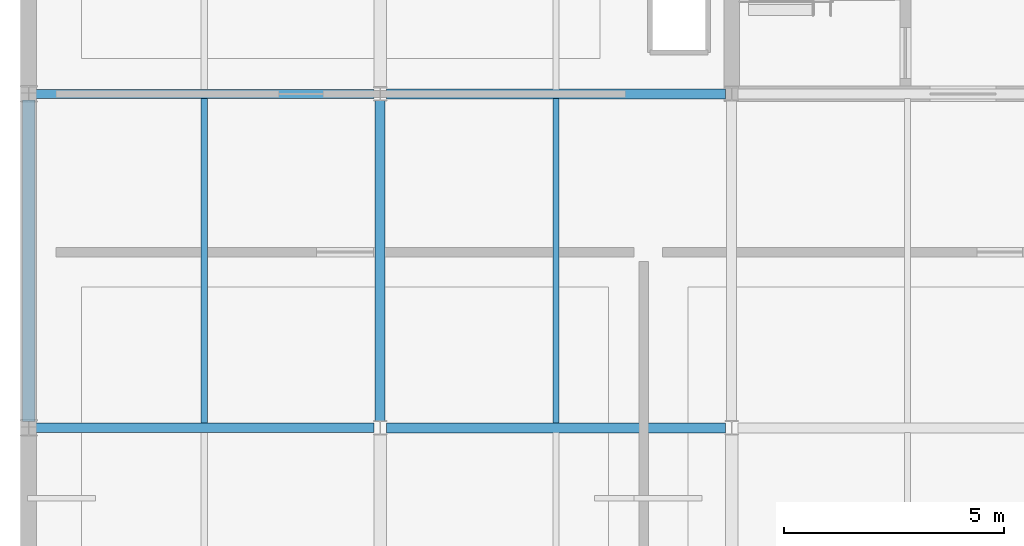
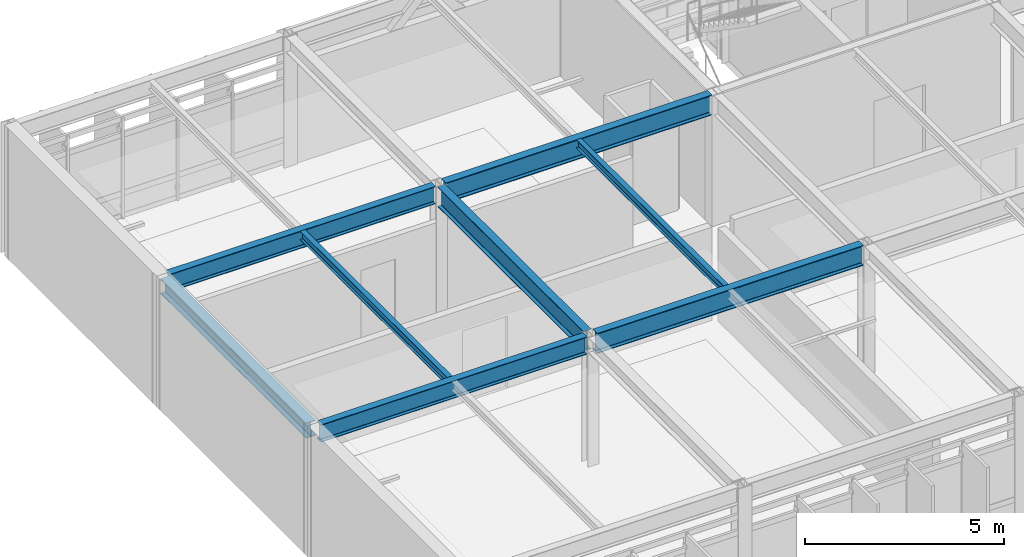
# One storey, part 20 of 85: 8 beams.
"""IFC4 building model written with IfcOpenShell, lengths in metres."""

from ifc_helpers import new_model, si_unit, direction, frame, origin, origin_2d, place, context, subcontext, project, spatial, i_section, extrude, material, material_profile, profile_set, type_object, element, save


model = new_model("IFC4")

# Units and contexts
model_context = context("Model", 3, precision=1e-05, world=origin(), true_north=direction((0.0, 1.0)))
body_context = subcontext(model_context, "Body", "Model", "MODEL_VIEW")
ifc_project = project(units=[si_unit("LENGTHUNIT", "METRE"), si_unit("AREAUNIT", "SQUARE_METRE"), si_unit("VOLUMEUNIT", "CUBIC_METRE"), si_unit("PLANEANGLEUNIT", "RADIAN"), si_unit("MASSUNIT", "GRAM", prefix="KILO")], contexts=[model_context])

# Site, building, storey
site_placement = place(None, origin())
site = spatial("IfcSite", under=ifc_project, at=site_placement, CompositionType="ELEMENT")
building_placement = place(site_placement, origin())
building = spatial("IfcBuilding", under=site, at=building_placement, Name="Zulena Civic Courthouse", CompositionType="ELEMENT")
storey_placement = place(building_placement, frame((0.0, 0.0, 25.199951171875)))
storey = spatial("IfcBuildingStorey", under=building, at=storey_placement, Name="L05", CompositionType="ELEMENT", Elevation=25.199951171875)

# Beams
ifc_material = material(Name="Steel ASTM A992 Grade 50", Category="steel")
ifc_material_profile_1 = material_profile(ifc_material, i_section(OverallWidth=0.22802734375, OverallDepth=0.60693359375, WebThickness=0.01123046875, FlangeThickness=0.017333984375, FilletRadius=0.0126953125, at=origin_2d()), Name="W24X76")
ifc_profile_set_1 = profile_set([ifc_material_profile_1], Name="Steel ASTM A992 Grade 50")
beam_type_1 = type_object("IfcBeamType", Name="Girder_W24X76", PredefinedType="BEAM", material=ifc_profile_set_1)
beam_1_placement = place(storey_placement, frame((12.0, 7.7451171875, 3.6865234375), z_axis=(0.0, 1.0, 0.0), x_axis=(-1.0, 0.0, 0.0)))
element("IfcBeam", 1, at=beam_1_placement, inside=storey, type_object=beam_type_1, Name="beam:Y:V2:L05:12.0:7.6_15.2", PredefinedType="BEAM", context=body_context, shape_type="SweptSolid", body=[
    extrude(i_section(OverallWidth=0.22802734375, OverallDepth=0.60693359375, WebThickness=0.01123046875, FlangeThickness=0.017333984375, FilletRadius=0.0126953125, at=origin_2d()), origin(), (0.0, 0.0, 1.0), 7.309814453125),
])
ifc_material_profile_2 = material_profile(ifc_material, i_section(OverallWidth=0.22998046875, OverallDepth=0.616943359375, WebThickness=0.01318359375, FlangeThickness=0.022216796875, FilletRadius=0.0126953125, at=origin_2d()), Name="W24X94")
ifc_profile_set_2 = profile_set([ifc_material_profile_2], Name="Steel ASTM A992 Grade 50")
beam_type_2 = type_object("IfcBeamType", Name="Girder_W24X94", PredefinedType="BEAM", material=ifc_profile_set_2)
for number, where, z_axis, x_axis, name in (
    (2, (12.14501953125, 7.60009765625, 3.6865234375), (1.0, 0.0, 0.0), (0.0, 1.0, 0.0), "beam:X:V2:L05:7.6:12.0_20.0"),
    (3, (12.14501953125, 15.199951171875, 3.6865234375), (1.0, 0.0, 0.0), (0.0, 1.0, 0.0), "beam:X:V2:L05:15.2:12.0_20.0"),
):
    element("IfcBeam", number, at=place(storey_placement, frame(where, z_axis=z_axis, x_axis=x_axis)), inside=storey, type_object=beam_type_2, Name=name, PredefinedType="BEAM", context=body_context, shape_type="SweptSolid", body=[
        extrude(i_section(OverallWidth=0.22998046875, OverallDepth=0.616943359375, WebThickness=0.01318359375, FlangeThickness=0.022216796875, FilletRadius=0.0126953125, at=origin_2d()), origin(), (0.0, 0.0, 1.0), 7.7099609375),
    ])
ifc_material_profile_3 = material_profile(ifc_material, i_section(OverallWidth=0.14599609375, OverallDepth=0.258056640625, WebThickness=0.006103515625, FlangeThickness=0.009033203125, FilletRadius=0.007568359375, at=origin_2d()), Name="W10X22")
ifc_profile_set_3 = profile_set([ifc_material_profile_3], Name="Steel ASTM A992 Grade 50")
beam_type_3 = type_object("IfcBeamType", Name="Joist_W10X22", PredefinedType="JOIST", material=ifc_profile_set_3)
for number, where, z_axis, x_axis, name in (
    (4, (8.0, 7.705078125, 3.861083984375), (0.0, 1.0, 0.0), (-1.0, 0.0, 0.0), "joist:V2:L05:8.00:7.6_15.2"),
    (5, (16.0, 7.705078125, 3.865966796875), (0.0, 1.0, 0.0), (-1.0, 0.0, 0.0), "joist:V2:L05:16.00:7.6_15.2"),
):
    element("IfcBeam", number, at=place(storey_placement, frame(where, z_axis=z_axis, x_axis=x_axis)), inside=storey, type_object=beam_type_3, Name=name, PredefinedType="JOIST", context=body_context, shape_type="SweptSolid", body=[
        extrude(i_section(OverallWidth=0.14599609375, OverallDepth=0.258056640625, WebThickness=0.006103515625, FlangeThickness=0.009033203125, FilletRadius=0.007568359375, at=origin_2d()), origin(), (0.0, 0.0, 1.0), 7.389892578125),
    ])
ifc_material_profile_4 = material_profile(ifc_material, i_section(OverallWidth=0.280029296875, OverallDepth=0.462890625, WebThickness=0.0107421875, FlangeThickness=0.017333984375, FilletRadius=0.01025390625, at=origin_2d()), Name="W18X76")
ifc_profile_set_4 = profile_set([ifc_material_profile_4], Name="Steel ASTM A992 Grade 50")
beam_type_4 = type_object("IfcBeamType", Name="Spandrel_W18X76", PredefinedType="SPANDREL", material=ifc_profile_set_4)
beam_2_placement = place(storey_placement, frame((4.0, 7.7451171875, 3.758544921875), z_axis=(0.0, 1.0, 0.0), x_axis=(-1.0, 0.0, 0.0)))
element("IfcBeam", 6, at=beam_2_placement, inside=storey, type_object=beam_type_4, Name="beam:Y:V2:L05:4.0:7.6_15.2", PredefinedType="SPANDREL", context=body_context, shape_type="SweptSolid", body=[
    extrude(i_section(OverallWidth=0.280029296875, OverallDepth=0.462890625, WebThickness=0.0107421875, FlangeThickness=0.017333984375, FilletRadius=0.01025390625, at=origin_2d()), origin(), (0.0, 0.0, 1.0), 7.309814453125),
])
ifc_material_profile_5 = material_profile(ifc_material, i_section(OverallWidth=0.2099609375, OverallDepth=0.537109375, WebThickness=0.010986328125, FlangeThickness=0.017333984375, FilletRadius=0.0126953125, at=origin_2d()), Name="W21X68")
ifc_profile_set_5 = profile_set([ifc_material_profile_5], Name="Steel ASTM A992 Grade 50")
beam_type_5 = type_object("IfcBeamType", Name="Spandrel_W21X68", PredefinedType="SPANDREL", material=ifc_profile_set_5)
for number, where, z_axis, x_axis, name in (
    (7, (4.14501953125, 7.60009765625, 3.721435546875), (1.0, 0.0, 0.0), (0.0, 1.0, 0.0), "beam:X:V2:L05:7.6:4.0_12.0"),
    (8, (4.14501953125, 15.199951171875, 3.721435546875), (1.0, 0.0, 0.0), (0.0, 1.0, 0.0), "beam:X:V2:L05:15.2:4.0_12.0"),
):
    element("IfcBeam", number, at=place(storey_placement, frame(where, z_axis=z_axis, x_axis=x_axis)), inside=storey, type_object=beam_type_5, Name=name, PredefinedType="SPANDREL", context=body_context, shape_type="SweptSolid", body=[
        extrude(i_section(OverallWidth=0.2099609375, OverallDepth=0.537109375, WebThickness=0.010986328125, FlangeThickness=0.017333984375, FilletRadius=0.0126953125, at=origin_2d()), origin(), (0.0, 0.0, 1.0), 7.7099609375),
    ])

save(model, "model.ifc")
